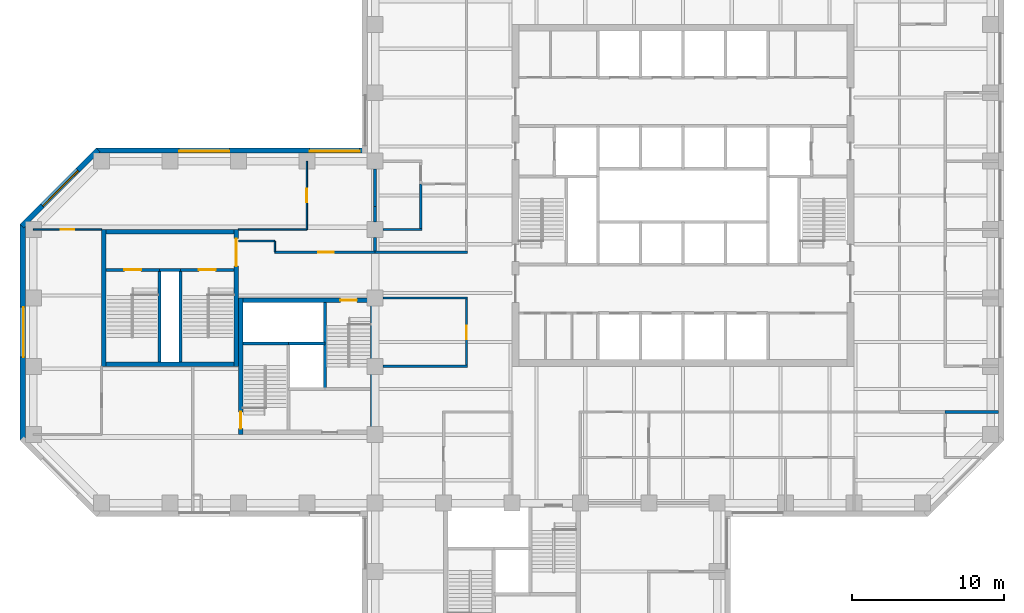
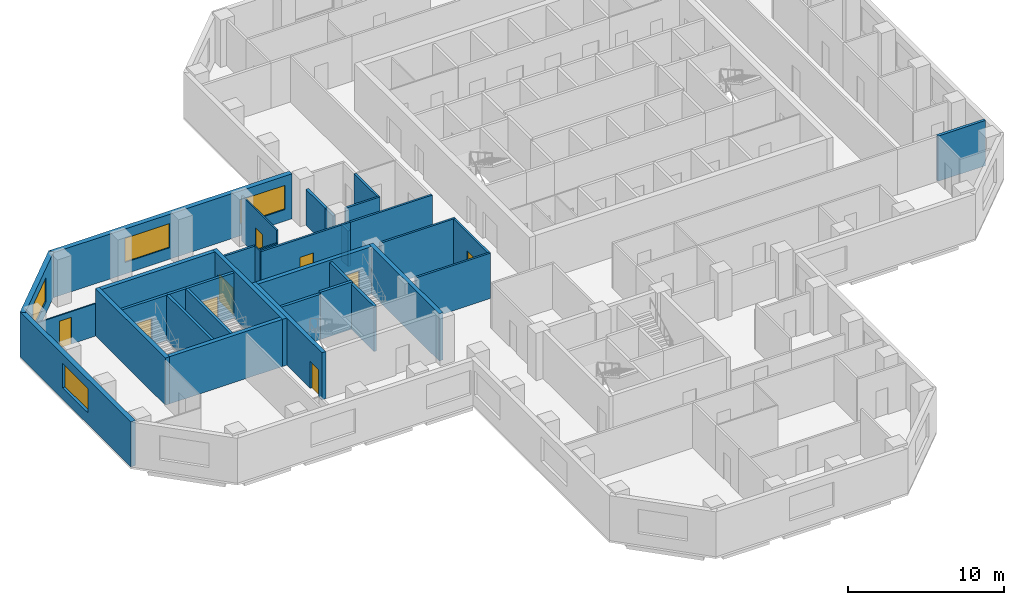
# One storey, part 5 of 11: 34 walls, 9 doors, 4 windows, 13 openings.
"""IFC4 building model written with IfcOpenShell, lengths in metres."""

from ifc_helpers import new_model, si_unit, direction, frame, frame_2d, origin, place, context, subcontext, project, spatial, rectangle, extrude, material, layer, layer_set, constituent, constituent_set, type_object, element, fill, save


model = new_model("IFC4")

# Units and contexts
model_context = context("Model", 3, precision=1e-05, world=origin(), true_north=direction((0.0, 1.0)))
body_context = subcontext(model_context, "Body", "Model", "MODEL_VIEW")
ifc_project = project(units=[si_unit("LENGTHUNIT", "METRE"), si_unit("AREAUNIT", "SQUARE_METRE"), si_unit("VOLUMEUNIT", "CUBIC_METRE"), si_unit("PLANEANGLEUNIT", "RADIAN"), si_unit("MASSUNIT", "GRAM", prefix="KILO")], contexts=[model_context])

# Site, building, storey
site_placement = place(None, origin())
site = spatial("IfcSite", under=ifc_project, at=site_placement, CompositionType="ELEMENT")
building_placement = place(site_placement, origin())
building = spatial("IfcBuilding", under=site, at=building_placement, Name="Quoin Convention Tower", CompositionType="ELEMENT")
storey_placement = place(building_placement, frame((0.0, 0.0, 101.10009765625)))
storey = spatial("IfcBuildingStorey", under=building, at=storey_placement, Name="L26", CompositionType="ELEMENT", Elevation=101.10009765625)

# Walls
ifc_material_1 = material(Name="Plasterboard")
ifc_layer_1 = layer(ifc_material_1, 0.012451171875, Name="Finish")
ifc_material_2 = material(Name="Steel stud framing", Category="steel")
ifc_layer_2 = layer(ifc_material_2, 0.125, Name="Structure")
ifc_layer_3 = layer(ifc_material_1, 0.012451171875, Name="Finish")
ifc_layer_set_1 = layer_set([ifc_layer_1, ifc_layer_2, ifc_layer_3], Name="Steel stud framing")
wall_type_1 = type_object("IfcWallType", Name="Acoustic partition 150", PredefinedType="PARTITIONING", material=ifc_layer_set_1)
wall_1_placement = place(storey_placement, frame((36.52490234375, 58.5, 0.0), z_axis=(0.0, 0.0, 1.0), x_axis=(1.0, 0.0, 0.0)))
element("IfcWall", 1, at=wall_1_placement, inside=storey, type_object=wall_type_1, Name="pw-L26-031", PredefinedType="PARTITIONING", context=body_context, shape_type="SweptSolid", body=[
    extrude(rectangle(XDim=2.550048828125, YDim=0.14990234375, at=frame_2d((1.27490234375, 0.0))), origin(), (0.0, 0.0, 1.0), 3.5498046875),
])
wall_2_placement = place(storey_placement, frame((39.0, 58.574951171875, 0.0), z_axis=(0.0, 0.0, 1.0), x_axis=(0.0, 1.0, 0.0)))
element("IfcWall", 2, at=wall_2_placement, inside=storey, type_object=wall_type_1, Name="pw-L26-077", PredefinedType="PARTITIONING", context=body_context, shape_type="SweptSolid", body=[
    extrude(rectangle(XDim=2.925048828125, YDim=0.14990234375, at=frame_2d((1.46240234375, 0.0))), origin(), (0.0, 0.0, 1.0), 3.5498046875),
])

# Wall, openings, windows
ifc_material_3 = material(Name="Brick masonry", Category="masonry")
ifc_layer_4 = layer(ifc_material_3, 0.35009765625)
ifc_layer_set_2 = layer_set([ifc_layer_4], Name="Brick masonry")
wall_type_2 = type_object("IfcWallType", Name="Brick facade wall", PredefinedType="STANDARD", material=ifc_layer_set_2)
wall_3_placement = place(storey_placement, frame((35.47509765625, 63.699951171875, 0.0), z_axis=(0.0, 0.0, 1.0), x_axis=(-1.0, 0.0, 0.0)))
wall_3 = element("IfcWall", 3, at=wall_3_placement, inside=storey, type_object=wall_type_2, Name="fw-L26-36000_63000", PredefinedType="STANDARD", context=body_context, shape_type="SweptSolid", body=[
    extrude(rectangle(XDim=17.83740234375, YDim=0.35009765625, at=frame_2d((8.918701171875, 0.0))), origin(), (0.0, 0.0, 1.0), 3.52490234375),
])
opening_1_placement = place(wall_3_placement, frame((0.5, 0.0, 0.89990234375)))
opening_1 = element("IfcOpeningElement", 4, at=opening_1_placement, cuts=wall_3, Name="Opening W-02", PredefinedType="OPENING", context=body_context, shape_type="SweptSolid", body=[
    extrude(rectangle(XDim=3.300048828125, YDim=1.89990234375, at=frame_2d((1.64990234375, 0.949951171875))), frame((0.0, 0.18505859375, 0.0), z_axis=(0.0, -1.0, 0.0), x_axis=(1.0, 0.0, 0.0)), (0.0, 0.0, 1.0), 0.3701171875),
])
opening_2_placement = place(wall_3_placement, frame((9.074951171875, 0.0, 0.89990234375)))
opening_2 = element("IfcOpeningElement", 5, at=opening_2_placement, cuts=wall_3, Name="Opening W-02", PredefinedType="OPENING", context=body_context, shape_type="SweptSolid", body=[
    extrude(rectangle(XDim=3.300048828125, YDim=1.89990234375, at=frame_2d((1.64990234375, 0.949951171875))), frame((0.0, 0.18505859375, 0.0), z_axis=(0.0, -1.0, 0.0), x_axis=(1.0, 0.0, 0.0)), (0.0, 0.0, 1.0), 0.3701171875),
])
ifc_material_4 = material(Name="Aluminium", Category="aluminium")
ifc_constituent_1 = constituent(ifc_material_4, Name="Frame")
ifc_material_5 = material(Name="Insulated glass", Category="glass")
ifc_constituent_2 = constituent(ifc_material_5, Name="Glazing")
ifc_constituent_set = constituent_set(constituents=[ifc_constituent_1, ifc_constituent_2], Name="Aluminium")
window_type = type_object("IfcWindowType", Name="Office window", PartitioningType="DOUBLE_PANEL_VERTICAL", PredefinedType="WINDOW", material=ifc_constituent_set)
window_1_placement = place(opening_1_placement, origin())
window_1 = element("IfcWindow", 6, at=window_1_placement, inside=storey, type_object=window_type, Name="win-L26-33750_63700", OverallHeight=1.89990234375, OverallWidth=3.300048828125, PartitioningType="SINGLE_PANEL", PredefinedType="WINDOW", context=body_context, shape_type="SweptSolid", body=[
    extrude(rectangle(XDim=3.300048828125, YDim=1.89990234375, at=frame_2d((1.64990234375, 0.949951171875))), frame((0.0, 0.0849609375, 0.0), z_axis=(0.0, -1.0, 0.0), x_axis=(1.0, 0.0, 0.0)), (0.0, 0.0, 1.0), 0.06005859375),
])
fill(opening_1, window_1)
window_2_placement = place(opening_2_placement, origin())
window_2 = element("IfcWindow", 7, at=window_2_placement, inside=storey, type_object=window_type, Name="win-L26-24750_63700", OverallHeight=1.89990234375, OverallWidth=3.300048828125, PartitioningType="SINGLE_PANEL", PredefinedType="WINDOW", context=body_context, shape_type="SweptSolid", body=[
    extrude(rectangle(XDim=3.300048828125, YDim=1.89990234375, at=frame_2d((1.64990234375, 0.949951171875))), frame((0.0, 0.0849609375, 0.0), z_axis=(0.0, -1.0, 0.0), x_axis=(1.0, 0.0, 0.0)), (0.0, 0.0, 1.0), 0.06005859375),
])
fill(opening_2, window_2)

# Wall, opening, window
wall_4_placement = place(storey_placement, frame((17.76123046875, 63.751220703125, 0.0), z_axis=(0.0, 0.0, 1.0), x_axis=(-0.707106781187, -0.707106781187, 0.0)))
wall_4 = element("IfcWall", 8, at=wall_4_placement, inside=storey, type_object=wall_type_2, Name="fw-L26-18000_63000", PredefinedType="STANDARD", context=body_context, shape_type="SweptSolid", body=[
    extrude(rectangle(XDim=7.088623046875, YDim=0.35009765625, at=frame_2d((3.54443359375, 0.0))), origin(), (0.0, 0.0, 1.0), 3.52490234375),
])
opening_3_placement = place(wall_4_placement, frame((1.894287109375, 0.0, 0.89990234375)))
opening_3 = element("IfcOpeningElement", 9, at=opening_3_placement, cuts=wall_4, Name="Opening W-02", PredefinedType="OPENING", context=body_context, shape_type="SweptSolid", body=[
    extrude(rectangle(XDim=3.300048828125, YDim=1.89990234375, at=frame_2d((1.64990234375, 0.949951171875))), frame((0.0, 0.18505859375, 0.0), z_axis=(0.0, -1.0, 0.0), x_axis=(1.0, 0.0, 0.0)), (0.0, 0.0, 1.0), 0.3701171875),
])
window_3_placement = place(opening_3_placement, origin())
window_3 = element("IfcWindow", 10, at=window_3_placement, inside=storey, type_object=window_type, Name="win-L26-15255_61245", OverallHeight=1.89990234375, OverallWidth=3.300048828125, PartitioningType="SINGLE_PANEL", PredefinedType="WINDOW", context=body_context, shape_type="SweptSolid", body=[
    extrude(rectangle(XDim=3.300048828125, YDim=1.89990234375, at=frame_2d((1.64990234375, 0.949951171875))), frame((0.0, 0.0849609375, 0.0), z_axis=(0.0, -1.0, 0.0), x_axis=(1.0, 0.0, 0.0)), (0.0, 0.0, 1.0), 0.06005859375),
])
fill(opening_3, window_3)

wall_5_placement = place(storey_placement, frame((12.800048828125, 58.8623046875, 0.0), z_axis=(0.0, 0.0, 1.0), x_axis=(0.0, -1.0, 0.0)))
wall_5 = element("IfcWall", 11, at=wall_5_placement, inside=storey, type_object=wall_type_2, Name="fw-L26-13500_58500", PredefinedType="STANDARD", context=body_context, shape_type="SweptSolid", body=[
    extrude(rectangle(XDim=14.224609375, YDim=0.35009765625, at=frame_2d((7.1123046875, 0.0))), origin(), (0.0, 0.0, 1.0), 3.52490234375),
])
opening_4_placement = place(wall_5_placement, frame((5.46240234375, 0.0, 0.89990234375)))
opening_4 = element("IfcOpeningElement", 12, at=opening_4_placement, cuts=wall_5, Name="Opening W-02", PredefinedType="OPENING", context=body_context, shape_type="SweptSolid", body=[
    extrude(rectangle(XDim=3.300048828125, YDim=1.89990234375, at=frame_2d((1.64990234375, 0.949951171875))), frame((0.0, 0.18505859375, 0.0), z_axis=(0.0, -1.0, 0.0), x_axis=(1.0, 0.0, 0.0)), (0.0, 0.0, 1.0), 0.3701171875),
])
window_4_placement = place(opening_4_placement, origin())
window_4 = element("IfcWindow", 13, at=window_4_placement, inside=storey, type_object=window_type, Name="win-L26-12800_51750", OverallHeight=1.89990234375, OverallWidth=3.300048828125, PartitioningType="SINGLE_PANEL", PredefinedType="WINDOW", context=body_context, shape_type="SweptSolid", body=[
    extrude(rectangle(XDim=3.300048828125, YDim=1.89990234375, at=frame_2d((1.64990234375, 0.949951171875))), frame((0.0, 0.0849609375, 0.0), z_axis=(0.0, -1.0, 0.0), x_axis=(1.0, 0.0, 0.0)), (0.0, 0.0, 1.0), 0.06005859375),
])
fill(opening_4, window_4)

# Walls
ifc_material_6 = material(Name="Concrete C50", Category="concrete")
ifc_layer_5 = layer(ifc_material_6, 0.199951171875)
ifc_layer_set_3 = layer_set([ifc_layer_5], Name="Concrete C50")
wall_type_3 = type_object("IfcWallType", Name="Core shaft wall", PredefinedType="SOLIDWALL", material=ifc_layer_set_3)
wall_6_placement = place(storey_placement, frame((27.300048828125, 51.0, 0.0), z_axis=(0.0, 0.0, 1.0), x_axis=(1.0, 0.0, 0.0)))
element("IfcWall", 14, at=wall_6_placement, inside=storey, type_object=wall_type_3, Name="cr-P2-L26-h6000_300", PredefinedType="SOLIDWALL", context=body_context, shape_type="SweptSolid", body=[
    extrude(rectangle(XDim=3.0, YDim=0.199951171875, at=frame_2d((1.5, 0.0))), origin(), (0.0, 0.0, 1.0), 3.5498046875),
])
wall_7_placement = place(storey_placement, frame((32.699951171875, 48.0, 0.0), z_axis=(0.0, 0.0, 1.0), x_axis=(0.0, 1.0, 0.0)))
element("IfcWall", 15, at=wall_7_placement, inside=storey, type_object=wall_type_3, Name="cr-P2-L26-v5700_3000", PredefinedType="SOLIDWALL", context=body_context, shape_type="SweptSolid", body=[
    extrude(rectangle(XDim=5.699951171875, YDim=0.199951171875, at=frame_2d((2.85009765625, 0.0))), origin(), (0.0, 0.0, 1.0), 3.5498046875),
])
wall_8_placement = place(storey_placement, frame((21.800048828125, 55.85009765625, 0.0), z_axis=(0.0, 0.0, 1.0), x_axis=(1.0, 0.0, 0.0)))
element("IfcWall", 16, at=wall_8_placement, inside=storey, type_object=wall_type_3, Name="cr-P6-L26-h6350_3800", PredefinedType="SOLIDWALL", context=body_context, shape_type="SweptSolid", body=[
    extrude(rectangle(XDim=1.39990234375, YDim=0.199951171875, at=frame_2d((0.699951171875, 0.0))), origin(), (0.0, 0.0, 1.0), 3.5498046875),
])

# Wall, opening, door
wall_9_placement = place(storey_placement, frame((18.300048828125, 55.85009765625, 0.0), z_axis=(0.0, 0.0, 1.0), x_axis=(1.0, 0.0, 0.0)))
wall_9 = element("IfcWall", 17, at=wall_9_placement, inside=storey, type_object=wall_type_3, Name="cr-P6-L26-h6350_300", PredefinedType="SOLIDWALL", context=body_context, shape_type="SweptSolid", body=[
    extrude(rectangle(XDim=3.5, YDim=0.199951171875, at=frame_2d((1.75, 0.0))), origin(), (0.0, 0.0, 1.0), 3.5498046875),
])
opening_5_placement = place(wall_9_placement, frame((1.199951171875, 0.0, 0.0)))
opening_5 = element("IfcOpeningElement", 18, at=opening_5_placement, cuts=wall_9, Name="Opening SD11", PredefinedType="OPENING", context=body_context, shape_type="SweptSolid", body=[
    extrude(rectangle(XDim=1.10009765625, YDim=2.10009765625, at=frame_2d((0.550048828125, 1.050048828125))), frame((0.0, 0.10986328125, 0.0), z_axis=(0.0, -1.0, 0.0), x_axis=(1.0, 0.0, 0.0)), (0.0, 0.0, 1.0), 0.219970703125),
])
ifc_material_7 = material(Name="Steel door leaf", Category="steel")
door_type_1 = type_object("IfcDoorType", Name="Stair door 1100 x 2100", OperationType="SINGLE_SWING_RIGHT", PredefinedType="DOOR", material=ifc_material_7)
door_1_placement = place(opening_5_placement, origin())
door_1 = element("IfcDoor", 19, at=door_1_placement, inside=storey, type_object=door_type_1, Name="cd-P6-L26-SA-R2-SD11", OperationType="SINGLE_SWING_RIGHT", OverallHeight=2.10009765625, OverallWidth=1.10009765625, PredefinedType="DOOR", context=body_context, shape_type="SweptSolid", body=[
    extrude(rectangle(XDim=1.10009765625, YDim=2.10009765625, at=frame_2d((0.550048828125, 1.050048828125))), frame((0.0, 0.02490234375, 0.0), z_axis=(0.0, -1.0, 0.0), x_axis=(1.0, 0.0, 0.0)), (0.0, 0.0, 1.0), 0.050048828125),
])
fill(opening_5, door_1)

wall_10_placement = place(storey_placement, frame((23.199951171875, 55.85009765625, 0.0), z_axis=(0.0, 0.0, 1.0), x_axis=(1.0, 0.0, 0.0)))
wall_10 = element("IfcWall", 20, at=wall_10_placement, inside=storey, type_object=wall_type_3, Name="cr-P6-L26-h6350_5200", PredefinedType="SOLIDWALL", context=body_context, shape_type="SweptSolid", body=[
    extrude(rectangle(XDim=3.5, YDim=0.199951171875, at=frame_2d((1.75, 0.0))), origin(), (0.0, 0.0, 1.0), 3.5498046875),
])
opening_6_placement = place(wall_10_placement, frame((1.199951171875, 0.0, 0.0)))
opening_6 = element("IfcOpeningElement", 21, at=opening_6_placement, cuts=wall_10, Name="Opening SD12", PredefinedType="OPENING", context=body_context, shape_type="SweptSolid", body=[
    extrude(rectangle(XDim=1.10009765625, YDim=2.10009765625, at=frame_2d((0.550048828125, 1.050048828125))), frame((0.0, 0.10986328125, 0.0), z_axis=(0.0, -1.0, 0.0), x_axis=(1.0, 0.0, 0.0)), (0.0, 0.0, 1.0), 0.219970703125),
])
door_2_placement = place(opening_6_placement, origin())
door_2 = element("IfcDoor", 22, at=door_2_placement, inside=storey, type_object=door_type_1, Name="cd-P6-L26-SB-R2-SD12", OperationType="SINGLE_SWING_RIGHT", OverallHeight=2.10009765625, OverallWidth=1.10009765625, PredefinedType="DOOR", context=body_context, shape_type="SweptSolid", body=[
    extrude(rectangle(XDim=1.10009765625, YDim=2.10009765625, at=frame_2d((0.550048828125, 1.050048828125))), frame((0.0, 0.02490234375, 0.0), z_axis=(0.0, -1.0, 0.0), x_axis=(1.0, 0.0, 0.0)), (0.0, 0.0, 1.0), 0.050048828125),
])
fill(opening_6, door_2)

# Walls
for number, where, z_axis, x_axis, name in (
    (23, (21.800048828125, 49.800048828125, 0.0), (0.0, 0.0, 1.0), (0.0, 1.0, 0.0), "cr-P6-L26-v3800_300"),
    (24, (23.199951171875, 49.800048828125, 0.0), (0.0, 0.0, 1.0), (0.0, 1.0, 0.0), "cr-P6-L26-v5200_300"),
):
    element("IfcWall", number, at=place(storey_placement, frame(where, z_axis=z_axis, x_axis=x_axis)), inside=storey, type_object=wall_type_3, Name=name, PredefinedType="SOLIDWALL", context=body_context, shape_type="SweptSolid", body=[
        extrude(rectangle(XDim=6.050048828125, YDim=0.199951171875, at=frame_2d((3.02490234375, 0.0))), origin(), (0.0, 0.0, 1.0), 3.5498046875),
    ])
ifc_layer_6 = layer(ifc_material_6, 0.199951171875)
ifc_layer_set_4 = layer_set([ifc_layer_6], Name="Concrete C50")
wall_type_4 = type_object("IfcWallType", Name="Core shaft wall to the floor level over", PredefinedType="SOLIDWALL", material=ifc_layer_set_4)
wall_11_placement = place(storey_placement, frame((30.300048828125, 51.0, 0.0), z_axis=(0.0, 0.0, 1.0), x_axis=(1.0, 0.0, 0.0)))
element("IfcWall", 25, at=wall_11_placement, inside=storey, type_object=wall_type_4, Name="cr-P2-L26-h6000_3300", PredefinedType="SOLIDWALL", context=body_context, shape_type="SweptSolid", body=[
    extrude(rectangle(XDim=2.39990234375, YDim=0.199951171875, at=frame_2d((1.199951171875, 0.0))), origin(), (0.0, 0.0, 1.0), 3.699951171875),
])
ifc_layer_7 = layer(ifc_material_1, 0.012451171875, Name="Finish")
ifc_layer_8 = layer(ifc_material_2, 0.125, Name="Structure")
ifc_layer_9 = layer(ifc_material_1, 0.012451171875, Name="Finish")
ifc_layer_set_5 = layer_set([ifc_layer_7, ifc_layer_8, ifc_layer_9], Name="Steel stud framing")
wall_type_5 = type_object("IfcWallType", Name="Corridor wall 150", PredefinedType="PARTITIONING", material=ifc_layer_set_5)
for number, where, z_axis, x_axis, name in (
    (26, (36.52490234375, 49.5, 0.0), (0.0, 0.0, 1.0), (1.0, 0.0, 0.0), "pw-L26-024"),
    (27, (36.52490234375, 54.0, 0.0), (0.0, 0.0, 1.0), (1.0, 0.0, 0.0), "pw-L26-027"),
):
    element("IfcWall", number, at=place(storey_placement, frame(where, z_axis=z_axis, x_axis=x_axis)), inside=storey, type_object=wall_type_5, Name=name, PredefinedType="PARTITIONING", context=body_context, shape_type="SweptSolid", body=[
        extrude(rectangle(XDim=5.550048828125, YDim=0.14990234375, at=frame_2d((2.77490234375, 0.0))), origin(), (0.0, 0.0, 1.0), 3.5498046875),
    ])

# Wall, opening, door
wall_12_placement = place(storey_placement, frame((29.3798828125, 57.0, 0.0), z_axis=(0.0, 0.0, 1.0), x_axis=(1.0, 0.0, 0.0)))
wall_12 = element("IfcWall", 28, at=wall_12_placement, inside=storey, type_object=wall_type_5, Name="pw-L26-029", PredefinedType="PARTITIONING", context=body_context, shape_type="SweptSolid", body=[
    extrude(rectangle(XDim=6.6201171875, YDim=0.14990234375, at=frame_2d((3.31005859375, 0.0))), origin(), (0.0, 0.0, 1.0), 3.5498046875),
])
opening_7_placement = place(wall_12_placement, frame((2.8798828125, 0.0, 0.0)))
opening_7 = element("IfcOpeningElement", 29, at=opening_7_placement, cuts=wall_12, Name="Opening DOL4-11", PredefinedType="OPENING", context=body_context, shape_type="SweptSolid", body=[
    extrude(rectangle(XDim=1.0, YDim=2.10009765625, at=frame_2d((0.5, 1.050048828125))), frame((0.0, 0.0849609375, 0.0), z_axis=(0.0, -1.0, 0.0), x_axis=(1.0, 0.0, 0.0)), (0.0, 0.0, 1.0), 0.169921875),
])
door_type_2 = type_object("IfcDoorType", Name="Tenancy entrance door 1000 x 2100", OperationType="DOUBLE_DOOR_SINGLE_SWING", PredefinedType="DOOR", material=ifc_material_7)
door_3_placement = place(opening_7_placement, origin())
door_3 = element("IfcDoor", 30, at=door_3_placement, inside=storey, type_object=door_type_2, Name="dr-L26-w01", OperationType="DOUBLE_DOOR_SINGLE_SWING", OverallHeight=2.10009765625, OverallWidth=1.0, PredefinedType="DOOR", context=body_context, shape_type="SweptSolid", body=[
    extrude(rectangle(XDim=1.0, YDim=2.10009765625, at=frame_2d((0.5, 1.050048828125))), frame((0.0, 0.02490234375, 0.0), z_axis=(0.0, -1.0, 0.0), x_axis=(1.0, 0.0, 0.0)), (0.0, 0.0, 1.0), 0.050048828125),
])
fill(opening_7, door_3)

# Wall
wall_13_placement = place(storey_placement, frame((36.0, 57.0, 0.0), z_axis=(0.0, 0.0, 1.0), x_axis=(1.0, 0.0, 0.0)))
element("IfcWall", 31, at=wall_13_placement, inside=storey, type_object=wall_type_5, Name="pw-L26-030", PredefinedType="PARTITIONING", context=body_context, shape_type="SweptSolid", body=[
    extrude(rectangle(XDim=6.074951171875, YDim=0.14990234375, at=frame_2d((3.03759765625, 0.0))), origin(), (0.0, 0.0, 1.0), 3.5498046875),
])

# Wall, opening, door
wall_14_placement = place(storey_placement, frame((42.0, 49.574951171875, 0.0), z_axis=(0.0, 0.0, 1.0), x_axis=(0.0, 1.0, 0.0)))
wall_14 = element("IfcWall", 32, at=wall_14_placement, inside=storey, type_object=wall_type_5, Name="pw-L26-070", PredefinedType="PARTITIONING", context=body_context, shape_type="SweptSolid", body=[
    extrude(rectangle(XDim=4.35009765625, YDim=0.14990234375, at=frame_2d((2.175048828125, 0.0))), origin(), (0.0, 0.0, 1.0), 3.5498046875),
])
opening_8_placement = place(wall_14_placement, frame((1.699951171875, 0.0, 0.0)))
opening_8 = element("IfcOpeningElement", 33, at=opening_8_placement, cuts=wall_14, Name="Opening DOL4-23", PredefinedType="OPENING", context=body_context, shape_type="SweptSolid", body=[
    extrude(rectangle(XDim=0.89990234375, YDim=2.10009765625, at=frame_2d((0.449951171875, 1.050048828125))), frame((0.0, 0.0849609375, 0.0), z_axis=(0.0, -1.0, 0.0), x_axis=(1.0, 0.0, 0.0)), (0.0, 0.0, 1.0), 0.169921875),
])
door_type_3 = type_object("IfcDoorType", Name="Office door 900 x 2100", OperationType="SINGLE_SWING_RIGHT", PredefinedType="DOOR", material=ifc_material_7)
door_4_placement = place(opening_8_placement, origin())
door_4 = element("IfcDoor", 34, at=door_4_placement, inside=storey, type_object=door_type_3, Name="dr-L26-01", OperationType="SINGLE_SWING_RIGHT", OverallHeight=2.10009765625, OverallWidth=0.89990234375, PredefinedType="DOOR", context=body_context, shape_type="SweptSolid", body=[
    extrude(rectangle(XDim=0.89990234375, YDim=2.10009765625, at=frame_2d((0.449951171875, 1.050048828125))), frame((0.0, 0.02490234375, 0.0), z_axis=(0.0, -1.0, 0.0), x_axis=(1.0, 0.0, 0.0)), (0.0, 0.0, 1.0), 0.050048828125),
])
fill(opening_8, door_4)

# Wall
wall_15_placement = place(storey_placement, frame((27.0, 57.75, 0.0), z_axis=(0.0, 0.0, 1.0), x_axis=(1.0, 0.0, 0.0)))
element("IfcWall", 35, at=wall_15_placement, inside=storey, type_object=wall_type_5, Name="pw-L26-w06", PredefinedType="PARTITIONING", context=body_context, shape_type="SweptSolid", body=[
    extrude(rectangle(XDim=2.39990234375, YDim=0.14990234375, at=frame_2d((1.199951171875, 0.0))), origin(), (0.0, 0.0, 1.0), 3.5498046875),
])

# Wall, opening, door
ifc_material_8 = material(Name="Concrete C65", Category="concrete")
ifc_layer_10 = layer(ifc_material_8, 0.300048828125)
ifc_layer_set_6 = layer_set([ifc_layer_10], Name="Concrete C65")
wall_type_6 = type_object("IfcWallType", Name="RC CORE WALL 300 C65", PredefinedType="SHEAR", material=ifc_layer_set_6)
wall_16_placement = place(storey_placement, frame((27.300048828125, 53.85009765625, 0.0), z_axis=(0.0, 0.0, 1.0), x_axis=(1.0, 0.0, 0.0)))
wall_16 = element("IfcWall", 36, at=wall_16_placement, inside=storey, type_object=wall_type_6, Name="cwl-P2-L26-N", PredefinedType="SHEAR", context=body_context, shape_type="SweptSolid", body=[
    extrude(rectangle(XDim=8.39990234375, YDim=0.300048828125, at=frame_2d((4.199951171875, 0.0))), origin(), (0.0, 0.0, 1.0), 3.699951171875),
])
opening_9_placement = place(wall_16_placement, frame((6.39990234375, 0.0, 0.0)))
opening_9 = element("IfcOpeningElement", 37, at=opening_9_placement, cuts=wall_16, Name="Opening SD4", PredefinedType="OPENING", context=body_context, shape_type="SweptSolid", body=[
    extrude(rectangle(XDim=1.10009765625, YDim=2.10009765625, at=frame_2d((0.550048828125, 1.050048828125))), frame((0.0, 0.159912109375, 0.0), z_axis=(0.0, -1.0, 0.0), x_axis=(1.0, 0.0, 0.0)), (0.0, 0.0, 1.0), 0.320068359375),
])
door_5_placement = place(opening_9_placement, frame((1.10009765625, 0.0, 0.0), z_axis=(0.0, 0.0, 1.0), x_axis=(-1.0, 0.0, 0.0)))
door_5 = element("IfcDoor", 38, at=door_5_placement, inside=storey, type_object=door_type_1, Name="cd-P2-L26-SB-N", OperationType="SINGLE_SWING_LEFT", OverallHeight=2.10009765625, OverallWidth=1.10009765625, PredefinedType="DOOR", context=body_context, shape_type="SweptSolid", body=[
    extrude(rectangle(XDim=1.10009765625, YDim=2.10009765625, at=frame_2d((0.550048828125, 1.050048828125))), frame((0.0, 0.02490234375, 0.0), z_axis=(0.0, -1.0, 0.0), x_axis=(1.0, 0.0, 0.0)), (0.0, 0.0, 1.0), 0.050048828125),
])
fill(opening_9, door_5)

wall_17_placement = place(storey_placement, frame((27.14990234375, 45.0, 0.0), z_axis=(0.0, 0.0, 1.0), x_axis=(0.0, 1.0, 0.0)))
wall_17 = element("IfcWall", 39, at=wall_17_placement, inside=storey, type_object=wall_type_6, Name="cwl-P2-L26-W", PredefinedType="SHEAR", context=body_context, shape_type="SweptSolid", body=[
    extrude(rectangle(XDim=9.0, YDim=0.300048828125, at=frame_2d((4.5, 0.0))), origin(), (0.0, 0.0, 1.0), 3.699951171875),
])
opening_10_placement = place(wall_17_placement, frame((0.39990234375, 0.0, 0.0)))
opening_10 = element("IfcOpeningElement", 40, at=opening_10_placement, cuts=wall_17, Name="Opening SD3", PredefinedType="OPENING", context=body_context, shape_type="SweptSolid", body=[
    extrude(rectangle(XDim=1.10009765625, YDim=2.10009765625, at=frame_2d((0.550048828125, 1.050048828125))), frame((0.0, 0.159912109375, 0.0), z_axis=(0.0, -1.0, 0.0), x_axis=(1.0, 0.0, 0.0)), (0.0, 0.0, 1.0), 0.320068359375),
])
door_6_placement = place(opening_10_placement, frame((1.10009765625, 0.0, 0.0), z_axis=(0.0, 0.0, 1.0), x_axis=(-1.0, 0.0, 0.0)))
door_6 = element("IfcDoor", 41, at=door_6_placement, inside=storey, type_object=door_type_1, Name="cd-P2-L26-SA-W", OperationType="SINGLE_SWING_RIGHT", OverallHeight=2.10009765625, OverallWidth=1.10009765625, PredefinedType="DOOR", context=body_context, shape_type="SweptSolid", body=[
    extrude(rectangle(XDim=1.10009765625, YDim=2.10009765625, at=frame_2d((0.550048828125, 1.050048828125))), frame((0.0, 0.02490234375, 0.0), z_axis=(0.0, -1.0, 0.0), x_axis=(1.0, 0.0, 0.0)), (0.0, 0.0, 1.0), 0.050048828125),
])
fill(opening_10, door_6)

# Walls
wall_18_placement = place(storey_placement, frame((35.85009765625, 45.0, 0.0), z_axis=(0.0, 0.0, 1.0), x_axis=(0.0, 1.0, 0.0)))
element("IfcWall", 42, at=wall_18_placement, inside=storey, type_object=wall_type_6, Name="cwl-P2-L26-E", PredefinedType="SHEAR", context=body_context, shape_type="SweptSolid", body=[
    extrude(rectangle(XDim=9.0, YDim=0.300048828125, at=frame_2d((4.5, 0.0))), origin(), (0.0, 0.0, 1.0), 3.699951171875),
])
for number, where, z_axis, x_axis, name in (
    (43, (18.300048828125, 49.64990234375, 0.0), (0.0, 0.0, 1.0), (1.0, 0.0, 0.0), "cwl-P6-L26-S"),
    (44, (18.300048828125, 58.35009765625, 0.0), (0.0, 0.0, 1.0), (1.0, 0.0, 0.0), "cwl-P6-L26-N"),
):
    element("IfcWall", number, at=place(storey_placement, frame(where, z_axis=z_axis, x_axis=x_axis)), inside=storey, type_object=wall_type_6, Name=name, PredefinedType="SHEAR", context=body_context, shape_type="SweptSolid", body=[
        extrude(rectangle(XDim=8.39990234375, YDim=0.300048828125, at=frame_2d((4.199951171875, 0.0))), origin(), (0.0, 0.0, 1.0), 3.699951171875),
    ])
wall_19_placement = place(storey_placement, frame((18.14990234375, 49.5, 0.0), z_axis=(0.0, 0.0, 1.0), x_axis=(0.0, 1.0, 0.0)))
element("IfcWall", 45, at=wall_19_placement, inside=storey, type_object=wall_type_6, Name="cwl-P6-L26-W", PredefinedType="SHEAR", context=body_context, shape_type="SweptSolid", body=[
    extrude(rectangle(XDim=9.0, YDim=0.300048828125, at=frame_2d((4.5, 0.0))), origin(), (0.0, 0.0, 1.0), 3.699951171875),
])

# Wall, opening, door
wall_20_placement = place(storey_placement, frame((26.85009765625, 49.5, 0.0), z_axis=(0.0, 0.0, 1.0), x_axis=(0.0, 1.0, 0.0)))
wall_20 = element("IfcWall", 46, at=wall_20_placement, inside=storey, type_object=wall_type_6, Name="cwl-P6-L26-E", PredefinedType="SHEAR", context=body_context, shape_type="SweptSolid", body=[
    extrude(rectangle(XDim=9.0, YDim=0.300048828125, at=frame_2d((4.5, 0.0))), origin(), (0.0, 0.0, 1.0), 3.699951171875),
])
opening_11_placement = place(wall_20_placement, frame((6.60009765625, 0.0, 0.0)))
opening_11 = element("IfcOpeningElement", 47, at=opening_11_placement, cuts=wall_20, Name="Opening DCV3-44", PredefinedType="OPENING", context=body_context, shape_type="SweptSolid", body=[
    extrude(rectangle(XDim=1.800048828125, YDim=2.10009765625, at=frame_2d((0.89990234375, 1.050048828125))), frame((0.0, 0.159912109375, 0.0), z_axis=(0.0, -1.0, 0.0), x_axis=(1.0, 0.0, 0.0)), (0.0, 0.0, 1.0), 0.320068359375),
])
door_type_4 = type_object("IfcDoorType", Name="Goods lobby door 1800 x 2100", OperationType="SINGLE_SWING_LEFT", PredefinedType="DOOR", material=ifc_material_7)
door_7_placement = place(opening_11_placement, origin())
door_7 = element("IfcDoor", 48, at=door_7_placement, inside=storey, type_object=door_type_4, Name="cd-P6-L26-R2-E", OperationType="SINGLE_SWING_LEFT", OverallHeight=2.10009765625, OverallWidth=1.800048828125, PredefinedType="DOOR", context=body_context, shape_type="SweptSolid", body=[
    extrude(rectangle(XDim=1.800048828125, YDim=2.10009765625, at=frame_2d((0.89990234375, 1.050048828125))), frame((0.0, 0.02490234375, 0.0), z_axis=(0.0, -1.0, 0.0), x_axis=(1.0, 0.0, 0.0)), (0.0, 0.0, 1.0), 0.050048828125),
])
fill(opening_11, door_7)

ifc_layer_11 = layer(ifc_material_1, 0.012451171875, Name="Finish")
ifc_layer_12 = layer(ifc_material_2, 0.074951171875, Name="Structure")
ifc_layer_13 = layer(ifc_material_1, 0.012451171875, Name="Finish")
ifc_layer_set_7 = layer_set([ifc_layer_11, ifc_layer_12, ifc_layer_13], Name="Steel stud framing")
wall_type_7 = type_object("IfcWallType", Name="Stud partition 100", PredefinedType="PARTITIONING", material=ifc_layer_set_7)
wall_21_placement = place(storey_placement, frame((31.5, 63.0, 0.0), z_axis=(0.0, 0.0, 1.0), x_axis=(0.0, -1.0, 0.0)))
wall_21 = element("IfcWall", 49, at=wall_21_placement, inside=storey, type_object=wall_type_7, Name="pw-L26-w01", PredefinedType="PARTITIONING", context=body_context, shape_type="SweptSolid", body=[
    extrude(rectangle(XDim=4.5, YDim=0.10009765625, at=frame_2d((2.25, 0.0))), origin(), (0.0, 0.0, 1.0), 3.5498046875),
])
opening_12_placement = place(wall_21_placement, frame((1.800048828125, 0.0, 0.0)))
opening_12 = element("IfcOpeningElement", 50, at=opening_12_placement, cuts=wall_21, Name="Opening DOL4-31", PredefinedType="OPENING", context=body_context, shape_type="SweptSolid", body=[
    extrude(rectangle(XDim=0.89990234375, YDim=2.10009765625, at=frame_2d((0.449951171875, 1.050048828125))), frame((0.0, 0.06005859375, 0.0), z_axis=(0.0, -1.0, 0.0), x_axis=(1.0, 0.0, 0.0)), (0.0, 0.0, 1.0), 0.1201171875),
])
door_8_placement = place(opening_12_placement, frame((0.89990234375, 0.0, 0.0), z_axis=(0.0, 0.0, 1.0), x_axis=(-1.0, 0.0, 0.0)))
door_8 = element("IfcDoor", 51, at=door_8_placement, inside=storey, type_object=door_type_3, Name="dr-L26-w02", OperationType="SINGLE_SWING_LEFT", OverallHeight=2.10009765625, OverallWidth=0.89990234375, PredefinedType="DOOR", context=body_context, shape_type="SweptSolid", body=[
    extrude(rectangle(XDim=0.89990234375, YDim=2.10009765625, at=frame_2d((0.449951171875, 1.050048828125))), frame((0.0, 0.02490234375, 0.0), z_axis=(0.0, -1.0, 0.0), x_axis=(1.0, 0.0, 0.0)), (0.0, 0.0, 1.0), 0.050048828125),
])
fill(opening_12, door_8)

# Walls
wall_22_placement = place(storey_placement, frame((29.39990234375, 57.715087890625, 0.0), z_axis=(0.0, 0.0, 1.0), x_axis=(0.0, -1.0, 0.0)))
element("IfcWall", 52, at=wall_22_placement, inside=storey, type_object=wall_type_7, Name="pw-L26-w09", PredefinedType="PARTITIONING", context=body_context, shape_type="SweptSolid", body=[
    extrude(rectangle(XDim=0.68017578125, YDim=0.10009765625, at=frame_2d((0.340087890625, 0.0))), origin(), (0.0, 0.0, 1.0), 3.5498046875),
])
ifc_layer_14 = layer(ifc_material_1, 0.012451171875, Name="Finish")
ifc_layer_15 = layer(ifc_material_2, 0.074951171875, Name="Structure")
ifc_layer_16 = layer(ifc_material_1, 0.012451171875, Name="Finish")
ifc_layer_set_8 = layer_set([ifc_layer_14, ifc_layer_15, ifc_layer_16], Name="Steel stud framing")
wall_type_8 = type_object("IfcWallType", Name="Stud partition 100 under beam 1000", PredefinedType="PARTITIONING", material=ifc_layer_set_8)
wall_23_placement = place(storey_placement, frame((31.5, 58.5, 0.0), z_axis=(0.0, 0.0, 1.0), x_axis=(-1.0, 0.0, 0.0)))
element("IfcWall", 53, at=wall_23_placement, inside=storey, type_object=wall_type_8, Name="pw-L26-w02", PredefinedType="PARTITIONING", context=body_context, shape_type="SweptSolid", body=[
    extrude(rectangle(XDim=4.5, YDim=0.10009765625, at=frame_2d((2.25, 0.0))), origin(), (0.0, 0.0, 1.0), 2.5498046875),
])

# Wall, opening, door
wall_24_placement = place(storey_placement, frame((13.5, 58.5, 0.0), z_axis=(0.0, 0.0, 1.0), x_axis=(1.0, 0.0, 0.0)))
wall_24 = element("IfcWall", 54, at=wall_24_placement, inside=storey, type_object=wall_type_8, Name="pw-L26-w03", PredefinedType="PARTITIONING", context=body_context, shape_type="SweptSolid", body=[
    extrude(rectangle(XDim=4.5, YDim=0.10009765625, at=frame_2d((2.25, 0.0))), origin(), (0.0, 0.0, 1.0), 2.5498046875),
])
opening_13_placement = place(wall_24_placement, frame((1.800048828125, 0.0, 0.0)))
opening_13 = element("IfcOpeningElement", 55, at=opening_13_placement, cuts=wall_24, Name="Opening DOL4-32", PredefinedType="OPENING", context=body_context, shape_type="SweptSolid", body=[
    extrude(rectangle(XDim=0.89990234375, YDim=2.10009765625, at=frame_2d((0.449951171875, 1.050048828125))), frame((0.0, 0.06005859375, 0.0), z_axis=(0.0, -1.0, 0.0), x_axis=(1.0, 0.0, 0.0)), (0.0, 0.0, 1.0), 0.1201171875),
])
door_9_placement = place(opening_13_placement, origin())
door_9 = element("IfcDoor", 56, at=door_9_placement, inside=storey, type_object=door_type_3, Name="dr-L26-w03", OperationType="SINGLE_SWING_RIGHT", OverallHeight=2.10009765625, OverallWidth=0.89990234375, PredefinedType="DOOR", context=body_context, shape_type="SweptSolid", body=[
    extrude(rectangle(XDim=0.89990234375, YDim=2.10009765625, at=frame_2d((0.449951171875, 1.050048828125))), frame((0.0, 0.02490234375, 0.0), z_axis=(0.0, -1.0, 0.0), x_axis=(1.0, 0.0, 0.0)), (0.0, 0.0, 1.0), 0.050048828125),
])
fill(opening_13, door_9)

# Walls
ifc_layer_17 = layer(ifc_material_1, 0.012451171875, Name="Finish")
ifc_layer_18 = layer(ifc_material_2, 0.175048828125, Name="Structure")
ifc_layer_19 = layer(ifc_material_1, 0.012451171875, Name="Finish")
ifc_layer_set_9 = layer_set([ifc_layer_17, ifc_layer_18, ifc_layer_19], Name="Steel stud framing")
wall_type_9 = type_object("IfcWallType", Name="Tenancy demising wall 200", PredefinedType="PARTITIONING", material=ifc_layer_set_9)
wall_25_placement = place(storey_placement, frame((73.5, 46.5, 0.0), z_axis=(0.0, 0.0, 1.0), x_axis=(1.0, 0.0, 0.0)))
element("IfcWall", 57, at=wall_25_placement, inside=storey, type_object=wall_type_9, Name="pw-L26-021", PredefinedType="PARTITIONING", context=body_context, shape_type="SweptSolid", body=[
    extrude(rectangle(XDim=3.52490234375, YDim=0.199951171875, at=frame_2d((1.762451171875, 0.0))), origin(), (0.0, 0.0, 1.0), 3.5498046875),
])
ifc_layer_20 = layer(ifc_material_1, 0.012451171875, Name="Finish")
ifc_layer_21 = layer(ifc_material_2, 0.175048828125, Name="Structure")
ifc_layer_22 = layer(ifc_material_1, 0.012451171875, Name="Finish")
ifc_layer_set_10 = layer_set([ifc_layer_20, ifc_layer_21, ifc_layer_22], Name="Steel stud framing")
wall_type_10 = type_object("IfcWallType", Name="Tenancy demising wall 200 under beam 750", PredefinedType="PARTITIONING", material=ifc_layer_set_10)
wall_26_placement = place(storey_placement, frame((36.0, 57.074951171875, 0.0), z_axis=(0.0, 0.0, 1.0), x_axis=(0.0, 1.0, 0.0)))
element("IfcWall", 58, at=wall_26_placement, inside=storey, type_object=wall_type_10, Name="pw-L26-074", PredefinedType="PARTITIONING", context=body_context, shape_type="SweptSolid", body=[
    extrude(rectangle(XDim=0.900146484375, YDim=0.199951171875, at=frame_2d((0.4501953125, 0.0))), origin(), (0.0, 0.0, 1.0), 2.7998046875),
])
wall_27_placement = place(storey_placement, frame((36.0, 58.9951171875, 0.0), z_axis=(0.0, 0.0, 1.0), x_axis=(0.0, 1.0, 0.0)))
element("IfcWall", 59, at=wall_27_placement, inside=storey, type_object=wall_type_10, Name="pw-L26-078", PredefinedType="PARTITIONING", context=body_context, shape_type="SweptSolid", body=[
    extrude(rectangle(XDim=1.0048828125, YDim=0.199951171875, at=frame_2d((0.50244140625, 0.0))), origin(), (0.0, 0.0, 1.0), 2.7998046875),
])
wall_28_placement = place(storey_placement, frame((36.0, 60.0, 0.0), z_axis=(0.0, 0.0, 1.0), x_axis=(0.0, 1.0, 0.0)))
element("IfcWall", 60, at=wall_28_placement, inside=storey, type_object=wall_type_10, Name="pw-L26-080", PredefinedType="PARTITIONING", context=body_context, shape_type="SweptSolid", body=[
    extrude(rectangle(XDim=2.47509765625, YDim=0.199951171875, at=frame_2d((1.237548828125, 0.0))), origin(), (0.0, 0.0, 1.0), 2.7998046875),
])

save(model, "model.ifc")
